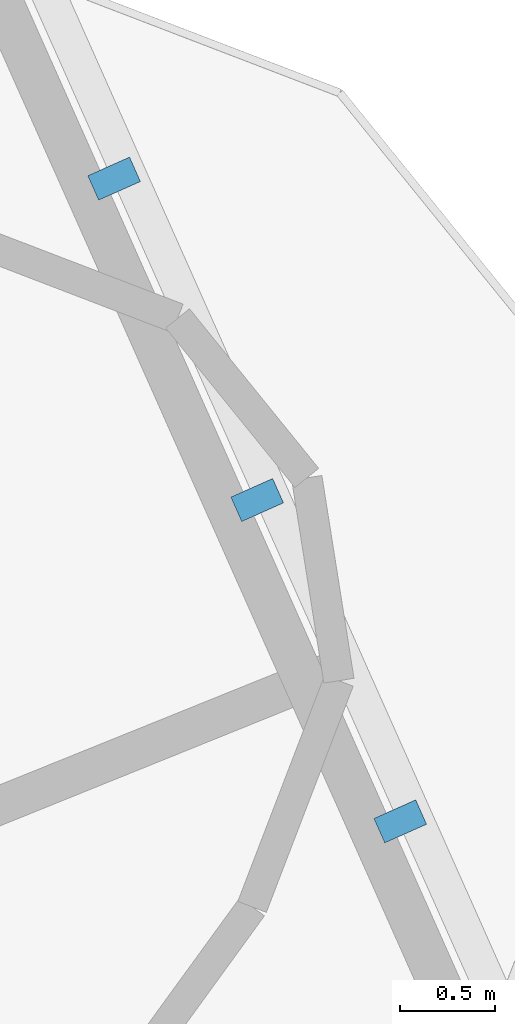
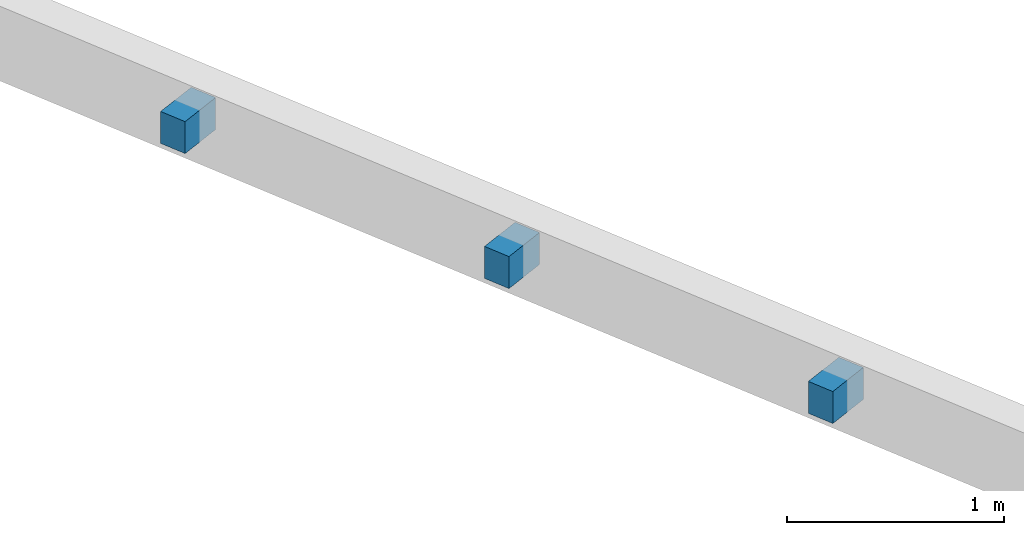
# One storey, part 7 of 10: 3 discrete accessories.
"""IFC4 building model written with IfcOpenShell, lengths in metres."""

from ifc_helpers import new_model, si_unit, direction, frame, origin, origin_2d, place, context, subcontext, project, spatial, rectangle, extrude, material, type_object, element, save


model = new_model("IFC4")

# Units and contexts
model_context = context("Model", 3, precision=1e-05, world=origin(), true_north=direction((0.0, 1.0)))
body_context = subcontext(model_context, "Body", "Model", "MODEL_VIEW")
ifc_project = project(units=[si_unit("LENGTHUNIT", "METRE"), si_unit("AREAUNIT", "SQUARE_METRE"), si_unit("VOLUMEUNIT", "CUBIC_METRE"), si_unit("PLANEANGLEUNIT", "RADIAN"), si_unit("MASSUNIT", "GRAM", prefix="KILO")], contexts=[model_context])

# Site, building, storey
site_placement = place(None, origin())
site = spatial("IfcSite", under=ifc_project, at=site_placement, CompositionType="ELEMENT")
building_placement = place(site_placement, origin())
building = spatial("IfcBuilding", under=site, at=building_placement, Name="Terralouvre Media Tower", CompositionType="ELEMENT")
storey_placement = place(building_placement, frame((0.0, 0.0, 213.800048828125)))
storey = spatial("IfcBuildingStorey", under=building, at=storey_placement, Name="L55", CompositionType="ELEMENT", Elevation=213.800048828125)

# Discrete accessories
ifc_material = material(Name="Anodised extruded aluminium 6063-T6", Category="aluminium")
discrete_accessory_type = type_object("IfcDiscreteAccessoryType", Name="Mullion Stand-Off Baguette Fixing Bracket BK-01", PredefinedType="BRACKET", material=ifc_material)
for number, where, z_axis, x_axis, name in (
    (1, (26.388427734375, 9.729736328125, 10.75), (0.0, 0.0, 1.0), (-0.406737441315, 0.913545102243, 0.0), "CW-L55-C1 Louvre Bracket 01"),
    (2, (25.63818359375, 11.414794921875, 10.75), (0.0, 0.0, 1.0), (-0.406737441315, 0.913545102243, 0.0), "CW-L55-C1 Louvre Bracket 02"),
    (3, (24.887939453125, 13.10009765625, 10.75), (0.0, 0.0, 1.0), (-0.406737441315, 0.913545102243, 0.0), "CW-L55-C1 Louvre Bracket 03"),
):
    element("IfcDiscreteAccessory", number, at=place(storey_placement, frame(where, z_axis=z_axis, x_axis=x_axis)), inside=storey, type_object=discrete_accessory_type, Name=name, PredefinedType="BRACKET", context=body_context, shape_type="SweptSolid", body=[
        extrude(rectangle(XDim=0.139892578125, YDim=0.239990234375, at=origin_2d()), origin(), (0.0, 0.0, 1.0), 0.179931640625),
    ])

save(model, "model.ifc")
